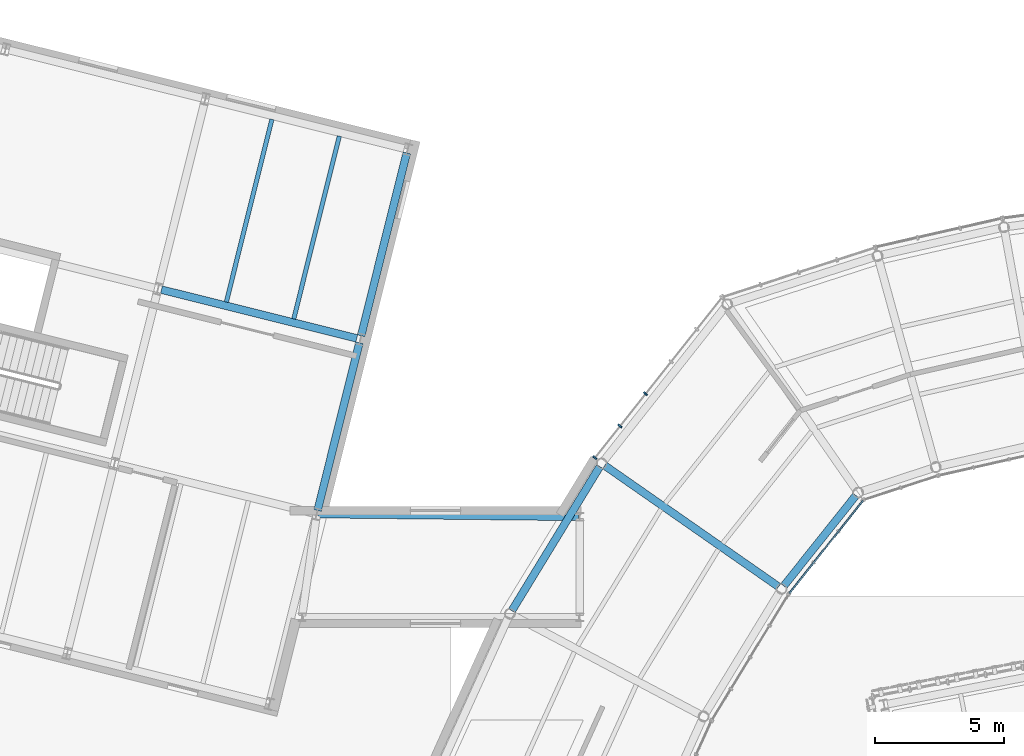
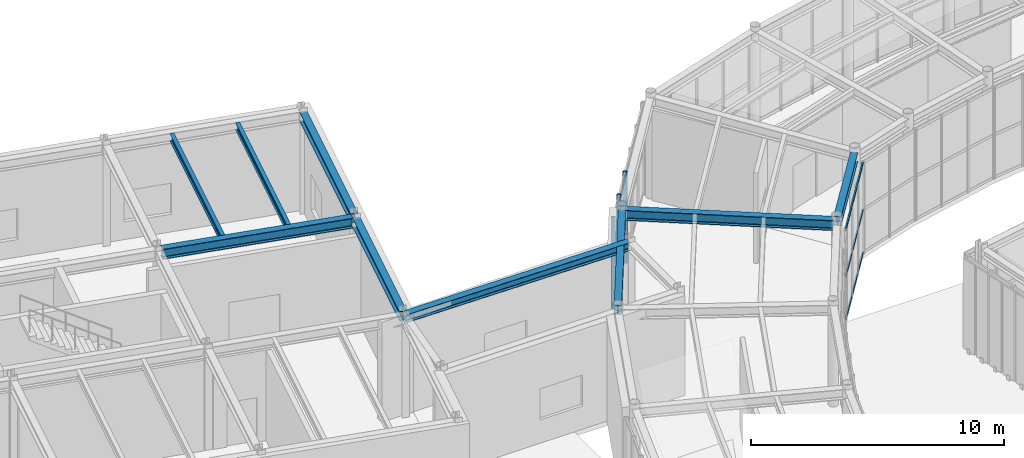
# One storey, part 42 of 97: 9 beams, 6 members, 2 elements without a shape of their own.
"""IFC4 building model written with IfcOpenShell, lengths in metres."""

from ifc_helpers import new_model, si_unit, direction, frame, origin, origin_2d, place, context, subcontext, project, spatial, rectangle, i_section, extrude, material, material_profile, profile_set, type_object, element, aggregate, save


model = new_model("IFC4")

# Units and contexts
model_context = context("Model", 3, precision=1e-05, world=origin(), true_north=direction((0.0, 1.0)))
body_context = subcontext(model_context, "Body", "Model", "MODEL_VIEW")
ifc_project = project(units=[si_unit("LENGTHUNIT", "METRE"), si_unit("AREAUNIT", "SQUARE_METRE"), si_unit("VOLUMEUNIT", "CUBIC_METRE"), si_unit("PLANEANGLEUNIT", "RADIAN"), si_unit("MASSUNIT", "GRAM", prefix="KILO")], contexts=[model_context])

# Site, building, storey
site_placement = place(None, origin())
site = spatial("IfcSite", under=ifc_project, at=site_placement, CompositionType="ELEMENT")
building_placement = place(site_placement, origin())
building = spatial("IfcBuilding", under=site, at=building_placement, Name="Varnklinge Art Gallery", CompositionType="ELEMENT")
storey_placement = place(building_placement, origin())
storey = spatial("IfcBuildingStorey", under=building, at=storey_placement, Name="L00", CompositionType="ELEMENT", Elevation=0.0)

# Beams
ifc_material_1 = material(Name="Steel S355", Category="steel")
ifc_material_profile_1 = material_profile(ifc_material_1, i_section(OverallWidth=0.300048828125, OverallDepth=0.489990234375, WebThickness=0.011962890625, FlangeThickness=0.02294921875, FilletRadius=0.027099609375, at=origin_2d()), Name="HEA 500")
ifc_profile_set_1 = profile_set([ifc_material_profile_1], Name="Steel S355")
beam_type_1 = type_object("IfcBeamType", Name="BM-07", PredefinedType="BEAM", material=ifc_profile_set_1)
beam_1_placement = place(storey_placement, frame((49.96484375, 87.0947265625, 4.635009765625), z_axis=(0.820324852304, -0.571897837635, 0.0), x_axis=(0.571897837635, 0.820324852304, 0.0)))
element("IfcBeam", 1, at=beam_1_placement, inside=storey, type_object=beam_type_1, Name="L00 BM-07 BM-V2-L01-R22", PredefinedType="BEAM", context=body_context, shape_type="SweptSolid", body=[
    extrude(i_section(OverallWidth=0.300048828125, OverallDepth=0.489990234375, WebThickness=0.011962890625, FlangeThickness=0.02294921875, FilletRadius=0.027099609375, at=origin_2d()), origin(), (0.0, 0.0, 1.0), 8.2373046875),
])
beam_2_placement = place(storey_placement, frame((32.744873046875, 93.9267578125, 4.635009765625), z_axis=(0.970296564102, -0.241918535239, 0.0), x_axis=(0.241918535239, 0.970296564102, 0.0)))
element("IfcBeam", 2, at=beam_2_placement, inside=storey, type_object=beam_type_1, Name="L00 BM-07 BM-V5-L01-U2-3", PredefinedType="BEAM", context=body_context, shape_type="SweptSolid", body=[
    extrude(i_section(OverallWidth=0.300048828125, OverallDepth=0.489990234375, WebThickness=0.011962890625, FlangeThickness=0.02294921875, FilletRadius=0.027099609375, at=origin_2d()), origin(), (0.0, 0.0, 1.0), 7.820068359375),
])
ifc_material_2 = material(Name="Steel S355", Category="steel")
ifc_material_profile_2 = material_profile(ifc_material_2, i_section(OverallWidth=0.300048828125, OverallDepth=0.43994140625, WebThickness=0.011474609375, FlangeThickness=0.02099609375, FilletRadius=0.027099609375, at=origin_2d()), Name="HEA 450")
ifc_profile_set_2 = profile_set([ifc_material_profile_2], Name="Steel S355")
beam_type_2 = type_object("IfcBeamType", Name="BM-08", PredefinedType="BEAM", material=ifc_profile_set_2)
beam_3_placement = place(storey_placement, frame((38.808837890625, 85.3447265625, 4.659912109375), z_axis=(0.241920106756, 0.970296172283, 0.0), x_axis=(-0.970296172283, 0.241920106756, 0.0)))
element("IfcBeam", 3, at=beam_3_placement, inside=storey, type_object=beam_type_2, Name="L00 BM-08 BM-V5-L01-V4-1", PredefinedType="BEAM", context=body_context, shape_type="SweptSolid", body=[
    extrude(i_section(OverallWidth=0.300048828125, OverallDepth=0.43994140625, WebThickness=0.011474609375, FlangeThickness=0.02099609375, FilletRadius=0.027099609375, at=origin_2d()), origin(), (0.0, 0.0, 1.0), 6.72021484375),
])
beam_4_placement = place(storey_placement, frame((40.50244140625, 92.136962890625, 4.659912109375), z_axis=(0.241907757102, 0.97029925129, 0.0), x_axis=(-0.97029925129, 0.241907757102, 0.0)))
element("IfcBeam", 4, at=beam_4_placement, inside=storey, type_object=beam_type_2, Name="L00 BM-08 BM-V5-L01-V4-2", PredefinedType="BEAM", context=body_context, shape_type="SweptSolid", body=[
    extrude(i_section(OverallWidth=0.300048828125, OverallDepth=0.43994140625, WebThickness=0.011474609375, FlangeThickness=0.02099609375, FilletRadius=0.027099609375, at=origin_2d()), origin(), (0.0, 0.0, 1.0), 7.320068359375),
])
ifc_material_3 = material(Name="Steel S355", Category="steel")
ifc_material_profile_3 = material_profile(ifc_material_3, i_section(OverallWidth=0.300048828125, OverallDepth=0.389892578125, WebThickness=0.010986328125, FlangeThickness=0.01904296875, FilletRadius=0.027099609375, at=origin_2d()), Name="HEA 400")
ifc_profile_set_3 = profile_set([ifc_material_profile_3], Name="Steel S355")
beam_type_3 = type_object("IfcBeamType", Name="BM-09", PredefinedType="BEAM", material=ifc_profile_set_3)
beam_5_placement = place(storey_placement, frame((48.93994140625, 85.1005859375, 4.68505859375), z_axis=(-0.999942985339, 0.010678299094, 0.0), x_axis=(-0.010678299094, -0.999942985339, 0.0)))
element("IfcBeam", 5, at=beam_5_placement, inside=storey, type_object=beam_type_3, Name="L00 BM-09 BM-LNK-V5-L01-3", PredefinedType="BEAM", context=body_context, shape_type="SweptSolid", body=[
    extrude(i_section(OverallWidth=0.300048828125, OverallDepth=0.389892578125, WebThickness=0.010986328125, FlangeThickness=0.01904296875, FilletRadius=0.027099609375, at=origin_2d()), origin(), (0.0, 0.0, 1.0), 10.10546875),
])
ifc_material_4 = material(Name="Steel S355", Category="steel")
ifc_material_profile_4 = material_profile(ifc_material_4, i_section(OverallWidth=0.169921875, OverallDepth=0.360107421875, WebThickness=0.008056640625, FlangeThickness=0.0126953125, FilletRadius=0.01806640625, at=origin_2d()), Name="IPE 360")
ifc_profile_set_4 = profile_set([ifc_material_profile_4], Name="Steel S355")
beam_type_4 = type_object("IfcBeamType", Name="JST-06", PredefinedType="JOIST", material=ifc_profile_set_4)
for number, where, z_axis, x_axis, name in (
    (6, (35.2626953125, 93.443359375, 4.699951171875), (0.241939157724, 0.970291422182, 0.0), (-0.970291422182, 0.241939157724, 0.0), "L00 JST-06 JST-V5-L01-3-2-1"),
    (7, (37.882568359375, 92.7900390625, 4.699951171875), (0.241907757102, 0.97029925129, 0.0), (-0.97029925129, 0.241907757102, 0.0), "L00 JST-06 JST-V5-L01-3-2-2"),
):
    element("IfcBeam", number, at=place(storey_placement, frame(where, z_axis=z_axis, x_axis=x_axis)), inside=storey, type_object=beam_type_4, Name=name, PredefinedType="JOIST", context=body_context, shape_type="SweptSolid", body=[
        extrude(i_section(OverallWidth=0.169921875, OverallDepth=0.360107421875, WebThickness=0.008056640625, FlangeThickness=0.0126953125, FilletRadius=0.01806640625, at=origin_2d()), origin(), (0.0, 0.0, 1.0), 7.320068359375),
    ])

# Curtain wall, members
ifc_material_5 = material(Name="Anodised Aluminium", Category="aluminium")
curtain_wall_type_1 = type_object("IfcCurtainWallType", Name="CW-R01", PredefinedType="USERDEFINED", material=ifc_material_5)
curtain_wall_1_placement = place(storey_placement, origin())
curtain_wall_1 = element("IfcCurtainWall", 8, at=curtain_wall_1_placement, inside=storey, type_object=curtain_wall_type_1, Name="L00 Curtain Wall CW-V2O-L00-21", ObjectType="UNITISED CURTAIN WALL", PredefinedType="USERDEFINED")
ifc_material_6 = material(Name="Anodised Aluminium", Category="aluminium")
ifc_material_profile_5 = material_profile(ifc_material_6, rectangle(XDim=0.06494140625, YDim=0.179931640625, at=origin_2d()), Name="ALU 65x180")
ifc_profile_set_5 = profile_set([ifc_material_profile_5], Name="Anodised Aluminium")
member_type_1 = type_object("IfcMemberType", Name="MUL-01", PredefinedType="MULLION", material=ifc_profile_set_5)
member_1_placement = place(storey_placement, frame((51.549560546875, 89.8837890625, 0.0), z_axis=(0.0, 0.0, 1.0), x_axis=(-0.620737354217, -0.784018582101, 0.0)))
member_1 = element("IfcMember", 9, at=member_1_placement, type_object=member_type_1, Name="CW-V2O-L00-21 Mullion 4", PredefinedType="MULLION", context=body_context, shape_type="SweptSolid", body=[
    extrude(rectangle(XDim=0.06494140625, YDim=0.179931640625, at=origin_2d()), origin(), (0.0, 0.0, 1.0), 4.429931640625),
])
member_2_placement = place(storey_placement, frame((50.556396484375, 88.62939453125, 0.0), z_axis=(0.0, 0.0, 1.0), x_axis=(-0.620737354217, -0.784018582101, 0.0)))
member_2 = element("IfcMember", 10, at=member_2_placement, type_object=member_type_1, Name="CW-V2O-L00-21 Mullion 5", PredefinedType="MULLION", context=body_context, shape_type="SweptSolid", body=[
    extrude(rectangle(XDim=0.06494140625, YDim=0.179931640625, at=origin_2d()), origin(), (0.0, 0.0, 1.0), 4.429931640625),
])
member_3_placement = place(storey_placement, frame((49.583251953125, 87.400390625, 0.0), z_axis=(0.0, 0.0, 1.0), x_axis=(-0.620737354217, -0.784018582101, 0.0)))
member_3 = element("IfcMember", 11, at=member_3_placement, type_object=member_type_1, Name="CW-V2O-L00-21 Mullion 6", PredefinedType="MULLION", context=body_context, shape_type="SweptSolid", body=[
    extrude(rectangle(XDim=0.06494140625, YDim=0.179931640625, at=origin_2d()), origin(), (0.0, 0.0, 1.0), 4.429931640625),
])
aggregate(curtain_wall_1, [member_1, member_2, member_3])

# Beams
ifc_material_7 = material(Name="Steel S355", Category="steel")
ifc_material_profile_6 = material_profile(ifc_material_7, i_section(OverallWidth=0.300048828125, OverallDepth=0.43994140625, WebThickness=0.011474609375, FlangeThickness=0.02099609375, FilletRadius=0.027099609375, at=origin_2d()), Name="HEA 450")
ifc_profile_set_6 = profile_set([ifc_material_profile_6], Name="Steel S355")
beam_type_5 = type_object("IfcBeamType", Name="SPB-02", PredefinedType="SPANDREL", material=ifc_profile_set_6)
beam_6_placement = place(storey_placement, frame((59.72705078125, 85.931396484375, 4.659912109375), z_axis=(-0.623138348458, -0.782111628018, 0.0), x_axis=(0.782111628018, -0.623138348458, 0.0)))
element("IfcBeam", 12, at=beam_6_placement, inside=storey, type_object=beam_type_5, Name="L00 SPB-02 BM-V2-L01-I21", PredefinedType="SPANDREL", context=body_context, shape_type="SweptSolid", body=[
    extrude(i_section(OverallWidth=0.300048828125, OverallDepth=0.43994140625, WebThickness=0.011474609375, FlangeThickness=0.02099609375, FilletRadius=0.027099609375, at=origin_2d()), origin(), (0.0, 0.0, 1.0), 4.498046875),
])
beam_7_placement = place(storey_placement, frame((49.777099609375, 87.055419921875, 4.659912109375), z_axis=(-0.520911485476, -0.853610698327, 0.0), x_axis=(0.853610698327, -0.520911485476, 0.0)))
element("IfcBeam", 13, at=beam_7_placement, inside=storey, type_object=beam_type_5, Name="L00 SPB-02 BM-V2-L01-O22", PredefinedType="SPANDREL", context=body_context, shape_type="SweptSolid", body=[
    extrude(i_section(OverallWidth=0.300048828125, OverallDepth=0.43994140625, WebThickness=0.011474609375, FlangeThickness=0.02099609375, FilletRadius=0.027099609375, at=origin_2d()), origin(), (0.0, 0.0, 1.0), 6.566162109375),
])

# Curtain wall, members
ifc_material_8 = material(Name="Anodised Aluminium", Category="aluminium")
curtain_wall_type_2 = type_object("IfcCurtainWallType", Name="CW-R03", PredefinedType="USERDEFINED", material=ifc_material_8)
curtain_wall_2_placement = place(storey_placement, origin())
curtain_wall_2 = element("IfcCurtainWall", 14, at=curtain_wall_2_placement, inside=storey, type_object=curtain_wall_type_2, Name="L00 Curtain Wall CW-V2I-L00-21", ObjectType="UNITISED CURTAIN WALL", PredefinedType="USERDEFINED")
ifc_material_9 = material(Name="Anodised Aluminium", Category="aluminium")
ifc_material_profile_7 = material_profile(ifc_material_9, rectangle(XDim=0.06005859375, YDim=0.1201171875, at=origin_2d()), Name="ALU 60x120")
ifc_profile_set_7 = profile_set([ifc_material_profile_7], Name="Anodised Aluminium")
member_type_2 = type_object("IfcMemberType", Name="TRN-02", PredefinedType="USERDEFINED", material=ifc_profile_set_7)
member_4_placement = place(storey_placement, frame((57.142578125, 82.127197265625, 0.06005859375), z_axis=(0.620780504553, 0.783984416405, 0.0), x_axis=(-0.783984416405, 0.620780504553, 0.0)))
member_4 = element("IfcMember", 15, at=member_4_placement, type_object=member_type_2, Name="CW-V2I-L00-21 Transom 1", ObjectType="TRANSOM", PredefinedType="USERDEFINED", context=body_context, shape_type="SweptSolid", body=[
    extrude(rectangle(XDim=0.06005859375, YDim=0.1201171875, at=origin_2d()), origin(), (0.0, 0.0, 1.0), 4.595458984375),
])
member_5_placement = place(storey_placement, frame((57.142578125, 82.127197265625, 2.12646484375), z_axis=(0.620780504553, 0.783984416405, 0.0), x_axis=(-0.783984416405, 0.620780504553, 0.0)))
member_5 = element("IfcMember", 16, at=member_5_placement, type_object=member_type_2, Name="CW-V2I-L00-21 Transom 2", ObjectType="TRANSOM", PredefinedType="USERDEFINED", context=body_context, shape_type="SweptSolid", body=[
    extrude(rectangle(XDim=0.06005859375, YDim=0.1201171875, at=origin_2d()), origin(), (0.0, 0.0, 1.0), 4.595458984375),
])
member_6_placement = place(storey_placement, frame((57.142578125, 82.127197265625, 4.3701171875), z_axis=(0.620780504553, 0.783984416405, 0.0), x_axis=(-0.783984416405, 0.620780504553, 0.0)))
member_6 = element("IfcMember", 17, at=member_6_placement, type_object=member_type_2, Name="CW-V2I-L00-21 Transom 3", ObjectType="TRANSOM", PredefinedType="USERDEFINED", context=body_context, shape_type="SweptSolid", body=[
    extrude(rectangle(XDim=0.06005859375, YDim=0.1201171875, at=origin_2d()), origin(), (0.0, 0.0, 1.0), 4.595458984375),
])
aggregate(curtain_wall_2, [member_4, member_5, member_6])

save(model, "model.ifc")
